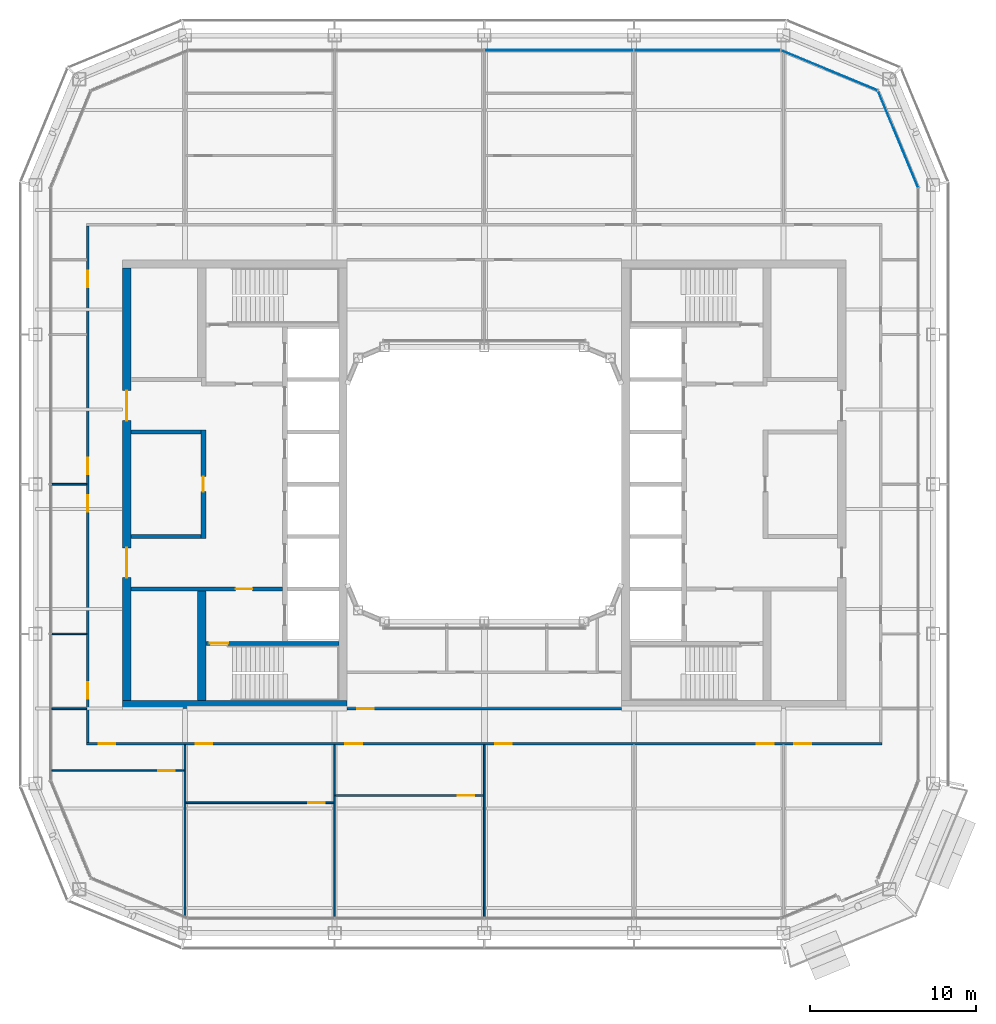
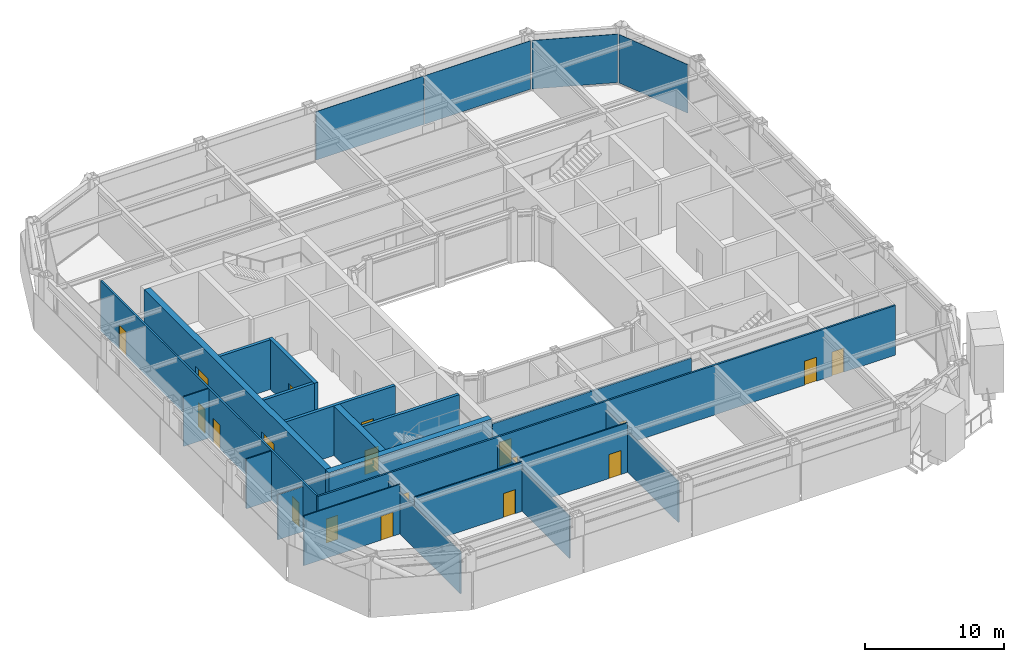
# One storey, part 12 of 23: 20 walls, 19 doors, 4 plates, 19 openings, 3 elements without a shape of their own.
"""IFC4 building model written with IfcOpenShell, lengths in metres."""

from ifc_helpers import new_model, si_unit, direction, frame, frame_2d, origin, origin_2d, place, context, subcontext, project, spatial, rectangle, extrude, material, layer, layer_set, type_object, element, fill, aggregate, save


model = new_model("IFC4")

# Units and contexts
model_context = context("Model", 3, precision=1e-05, world=origin(), true_north=direction((0.0, 1.0)))
body_context = subcontext(model_context, "Body", "Model", "MODEL_VIEW")
ifc_project = project(units=[si_unit("LENGTHUNIT", "METRE"), si_unit("AREAUNIT", "SQUARE_METRE"), si_unit("VOLUMEUNIT", "CUBIC_METRE"), si_unit("PLANEANGLEUNIT", "RADIAN"), si_unit("MASSUNIT", "GRAM", prefix="KILO")], contexts=[model_context])

# Site, building, storey
site_placement = place(None, origin())
site = spatial("IfcSite", under=ifc_project, at=site_placement, CompositionType="ELEMENT")
building_placement = place(site_placement, origin())
building = spatial("IfcBuilding", under=site, at=building_placement, Name="Siwar Civic Tower", CompositionType="ELEMENT")
storey_placement = place(building_placement, frame((0.0, 0.0, 237.699951171875)))
storey = spatial("IfcBuildingStorey", under=building, at=storey_placement, Name="L51", CompositionType="ELEMENT", Elevation=237.699951171875)

# Curtain wall, plates
ifc_material_1 = material(Name="Aluminium and glass", Category="aluminium")
ifc_layer_1 = layer(ifc_material_1, 0.179931640625)
ifc_layer_set_1 = layer_set([ifc_layer_1], Name="Aluminium and glass")
curtain_wall_type_1 = type_object("IfcCurtainWallType", Name="ENV-CW-C", PredefinedType="NOTDEFINED", material=ifc_layer_set_1)
curtain_wall_1_placement = place(storey_placement, origin())
curtain_wall_1 = element("IfcCurtainWall", 1, at=curtain_wall_1_placement, inside=storey, type_object=curtain_wall_type_1, Name="Curtain wall C N", PredefinedType="NOTDEFINED")
ifc_material_2 = material(Name="Glass clear laminated", Category="glass")
ifc_layer_2 = layer(ifc_material_2, 0.031982421875)
ifc_layer_set_2 = layer_set([ifc_layer_2], Name="Glass clear laminated")
plate_type_1 = type_object("IfcPlateType", Name="ENV-PANEL-C", PredefinedType="CURTAIN_PANEL", material=ifc_layer_set_2)
plate_1_placement = place(storey_placement, frame((13.410400390625, 26.10009765625, 0.10009765625), z_axis=(0.0, 0.0, 1.0), x_axis=(-1.0, 0.0, 0.0)))
plate_1 = element("IfcPlate", 2, at=plate_1_placement, type_object=plate_type_1, Name="Curtain panel C N 1", PredefinedType="CURTAIN_PANEL", context=body_context, shape_type="SweptSolid", body=[
    extrude(rectangle(XDim=8.760986328125, YDim=0.031982421875, at=origin_2d()), origin(), (0.0, 0.0, 1.0), 4.25),
])
plate_2_placement = place(storey_placement, frame((4.5, 26.10009765625, 0.10009765625), z_axis=(0.0, 0.0, 1.0), x_axis=(-1.0, 0.0, 0.0)))
plate_2 = element("IfcPlate", 3, at=plate_2_placement, type_object=plate_type_1, Name="Curtain panel C N 2", PredefinedType="CURTAIN_PANEL", context=body_context, shape_type="SweptSolid", body=[
    extrude(rectangle(XDim=8.93994140625, YDim=0.031982421875, at=origin_2d()), origin(), (0.0, 0.0, 1.0), 4.25),
])
aggregate(curtain_wall_1, [plate_1, plate_2])

# Curtain wall, plate
ifc_material_3 = material(Name="Aluminium clad insulated panel", Category="aluminium")
ifc_layer_3 = layer(ifc_material_3, 0.179931640625)
ifc_layer_set_3 = layer_set([ifc_layer_3], Name="Aluminium clad insulated panel")
curtain_wall_type_2 = type_object("IfcCurtainWallType", Name="ENV-CW-CX", PredefinedType="NOTDEFINED", material=ifc_layer_set_3)
curtain_wall_2_placement = place(storey_placement, origin())
curtain_wall_2 = element("IfcCurtainWall", 4, at=curtain_wall_2_placement, inside=storey, type_object=curtain_wall_type_2, Name="Curtain wall C NE1", PredefinedType="NOTDEFINED")
ifc_material_4 = material(Name="Aluminium clad insulated panel", Category="aluminium")
ifc_layer_4 = layer(ifc_material_4, 0.031982421875)
ifc_layer_set_4 = layer_set([ifc_layer_4], Name="Aluminium clad insulated panel")
plate_type_2 = type_object("IfcPlateType", Name="ENV-PANEL-CX", PredefinedType="CURTAIN_PANEL", material=ifc_layer_set_4)
plate_3_placement = place(storey_placement, frame((24.90185546875, 20.71337890625, 0.10009765625), z_axis=(0.0, 0.0, 1.0), x_axis=(-0.382683432365, 0.923879532511, 0.0)))
plate_3 = element("IfcPlate", 5, at=plate_3_placement, type_object=plate_type_2, Name="Curtain panel C NE1 1", PredefinedType="CURTAIN_PANEL", context=body_context, shape_type="SweptSolid", body=[
    extrude(rectangle(XDim=6.20166015625, YDim=0.031982421875, at=origin_2d()), origin(), (0.0, 0.0, 1.0), 4.25),
])
aggregate(curtain_wall_2, [plate_3])

curtain_wall_3_placement = place(storey_placement, origin())
curtain_wall_3 = element("IfcCurtainWall", 6, at=curtain_wall_3_placement, inside=storey, type_object=curtain_wall_type_2, Name="Curtain wall C NE2", PredefinedType="NOTDEFINED")
plate_4_placement = place(storey_placement, frame((20.78271484375, 24.873291015625, 0.10009765625), z_axis=(0.0, 0.0, 1.0), x_axis=(-0.923879532511, 0.382683432365, 0.0)))
plate_4 = element("IfcPlate", 7, at=plate_4_placement, type_object=plate_type_2, Name="Curtain panel C NE2 1", PredefinedType="CURTAIN_PANEL", context=body_context, shape_type="SweptSolid", body=[
    extrude(rectangle(XDim=6.20166015625, YDim=0.031982421875, at=origin_2d()), origin(), (0.0, 0.0, 1.0), 4.25),
])
aggregate(curtain_wall_3, [plate_4])

# Wall, opening, door
ifc_material_5 = material(Name="Concrete C60/75", Category="concrete")
ifc_layer_5 = layer(ifc_material_5, 0.25)
ifc_layer_set_5 = layer_set([ifc_layer_5], Name="Concrete C60/75")
wall_type_1 = type_object("IfcWallType", Name="CORE-WALL-RC250", PredefinedType="SHEAR", material=ifc_layer_set_5)
wall_1_placement = place(storey_placement, frame((-12.14990234375, -6.300048828125, 0.0), z_axis=(0.0, 0.0, 1.0), x_axis=(-1.0, 0.0, 0.0)))
wall_1 = element("IfcWall", 8, at=wall_1_placement, inside=storey, type_object=wall_type_1, Name="Core wall W", PredefinedType="SHEAR", context=body_context, shape_type="SweptSolid", body=[
    extrude(rectangle(XDim=9.10009765625, YDim=0.25, at=frame_2d((4.550048828125, 0.0))), origin(), (0.0, 0.0, 1.0), 4.35009765625),
])
opening_1_placement = place(wall_1_placement, frame((1.800048828125, 0.0, 0.0)))
opening_1 = element("IfcOpeningElement", 9, at=opening_1_placement, cuts=wall_1, Name="Opening L51-CW02", PredefinedType="OPENING", context=body_context, shape_type="SweptSolid", body=[
    extrude(rectangle(XDim=1.0, YDim=2.10009765625, at=frame_2d((0.5, 1.050048828125))), frame((0.0, 0.135009765625, 0.0), z_axis=(0.0, -1.0, 0.0), x_axis=(1.0, 0.0, 0.0)), (0.0, 0.0, 1.0), 0.27001953125),
])
ifc_material_6 = material(Name="Steel door leaf", Category="steel")
door_type_1 = type_object("IfcDoorType", Name="CORE-DOOR-FD30S", OperationType="SINGLE_SWING_LEFT", PredefinedType="DOOR", material=ifc_material_6)
door_1_placement = place(opening_1_placement, origin())
door_1 = element("IfcDoor", 10, at=door_1_placement, inside=storey, type_object=door_type_1, Name="Service lobby door L51-CW02", OperationType="SINGLE_SWING_RIGHT", OverallHeight=2.10009765625, OverallWidth=1.0, PredefinedType="DOOR", context=body_context, shape_type="SweptSolid", body=[
    extrude(rectangle(XDim=1.0, YDim=2.10009765625, at=frame_2d((0.5, 1.050048828125))), frame((0.0, 0.02490234375, 0.0), z_axis=(0.0, -1.0, 0.0), x_axis=(1.0, 0.0, 0.0)), (0.0, 0.0, 1.0), 0.050048828125),
])
fill(opening_1, door_1)

# Walls
for number, where, z_axis, x_axis, name in (
    (11, (-17.050048828125, 3.14990234375, 0.0), (0.0, 0.0, 1.0), (-1.0, 0.0, 0.0), "Core wall W"),
    (12, (-17.050048828125, -3.14990234375, 0.0), (0.0, 0.0, 1.0), (-1.0, 0.0, 0.0), "Core wall W"),
):
    element("IfcWall", number, at=place(storey_placement, frame(where, z_axis=z_axis, x_axis=x_axis)), inside=storey, type_object=wall_type_1, Name=name, PredefinedType="SHEAR", context=body_context, shape_type="SweptSolid", body=[
        extrude(rectangle(XDim=4.199951171875, YDim=0.25, at=frame_2d((2.10009765625, 0.0))), origin(), (0.0, 0.0, 1.0), 4.35009765625),
    ])

# Wall, opening, door
wall_2_placement = place(storey_placement, frame((-8.75, -9.574951171875, 0.0), z_axis=(0.0, 0.0, 1.0), x_axis=(-1.0, 0.0, 0.0)))
wall_2 = element("IfcWall", 13, at=wall_2_placement, inside=storey, type_object=wall_type_1, Name="Core wall W", PredefinedType="SHEAR", context=body_context, shape_type="SweptSolid", body=[
    extrude(rectangle(XDim=8.0, YDim=0.25, at=frame_2d((4.0, 0.0))), origin(), (0.0, 0.0, 1.0), 4.35009765625),
])
opening_2_placement = place(wall_2_placement, frame((6.64990234375, 0.0, 0.0)))
opening_2 = element("IfcOpeningElement", 14, at=opening_2_placement, cuts=wall_2, Name="Opening L51-CW04", PredefinedType="OPENING", context=body_context, shape_type="SweptSolid", body=[
    extrude(rectangle(XDim=1.10009765625, YDim=2.10009765625, at=frame_2d((0.550048828125, 1.050048828125))), frame((0.0, 0.135009765625, 0.0), z_axis=(0.0, -1.0, 0.0), x_axis=(1.0, 0.0, 0.0)), (0.0, 0.0, 1.0), 0.27001953125),
])
ifc_material_7 = material(Name="Steel door leaf", Category="steel")
door_type_2 = type_object("IfcDoorType", Name="CORE-DOOR-FD60S", OperationType="SINGLE_SWING_LEFT", PredefinedType="DOOR", material=ifc_material_7)
door_2_placement = place(opening_2_placement, origin())
door_2 = element("IfcDoor", 15, at=door_2_placement, inside=storey, type_object=door_type_2, Name="Stair door L51-CW04", OperationType="SINGLE_SWING_LEFT", OverallHeight=2.10009765625, OverallWidth=1.10009765625, PredefinedType="DOOR", context=body_context, shape_type="SweptSolid", body=[
    extrude(rectangle(XDim=1.10009765625, YDim=2.10009765625, at=frame_2d((0.550048828125, 1.050048828125))), frame((0.0, 0.02490234375, 0.0), z_axis=(0.0, -1.0, 0.0), x_axis=(1.0, 0.0, 0.0)), (0.0, 0.0, 1.0), 0.050048828125),
])
fill(opening_2, door_2)

ifc_material_8 = material(Name="Concrete C60/75", Category="concrete")
ifc_layer_6 = layer(ifc_material_8, 0.300048828125)
ifc_layer_set_6 = layer_set([ifc_layer_6], Name="Concrete C60/75")
wall_type_2 = type_object("IfcWallType", Name="CORE-WALL-RC300", PredefinedType="SHEAR", material=ifc_layer_set_6)
wall_3_placement = place(storey_placement, frame((-16.89990234375, -3.27490234375, 0.0), z_axis=(0.0, 0.0, 1.0), x_axis=(0.0, 1.0, 0.0)))
wall_3 = element("IfcWall", 16, at=wall_3_placement, inside=storey, type_object=wall_type_2, Name="Core wall W", PredefinedType="SHEAR", context=body_context, shape_type="SweptSolid", body=[
    extrude(rectangle(XDim=6.5498046875, YDim=0.300048828125, at=frame_2d((3.27490234375, 0.0))), origin(), (0.0, 0.0, 1.0), 4.35009765625),
])
opening_3_placement = place(wall_3_placement, frame((2.824951171875, 0.0, 0.0)))
opening_3 = element("IfcOpeningElement", 17, at=opening_3_placement, cuts=wall_3, Name="Opening L51-CW13", PredefinedType="OPENING", context=body_context, shape_type="SweptSolid", body=[
    extrude(rectangle(XDim=0.89990234375, YDim=2.10009765625, at=frame_2d((0.449951171875, 1.050048828125))), frame((0.0, 0.16015625, 0.0), z_axis=(0.0, -1.0, 0.0), x_axis=(1.0, 0.0, 0.0)), (0.0, 0.0, 1.0), 0.320068359375),
])
ifc_material_9 = material(Name="Steel door leaf", Category="steel")
door_type_3 = type_object("IfcDoorType", Name="CORE-DOOR-ROOM", OperationType="SINGLE_SWING_LEFT", PredefinedType="DOOR", material=ifc_material_9)
door_3_placement = place(opening_3_placement, origin())
door_3 = element("IfcDoor", 18, at=door_3_placement, inside=storey, type_object=door_type_3, Name="Core room door L51-CW13", OperationType="SINGLE_SWING_RIGHT", OverallHeight=2.10009765625, OverallWidth=0.89990234375, PredefinedType="DOOR", context=body_context, shape_type="SweptSolid", body=[
    extrude(rectangle(XDim=0.89990234375, YDim=2.10009765625, at=frame_2d((0.449951171875, 1.050048828125))), frame((0.0, 0.02490234375, 0.0), z_axis=(0.0, -1.0, 0.0), x_axis=(1.0, 0.0, 0.0)), (0.0, 0.0, 1.0), 0.050048828125),
])
fill(opening_3, door_3)

# Wall, openings, doors
ifc_material_10 = material(Name="Concrete C60/75", Category="concrete")
ifc_layer_7 = layer(ifc_material_10, 0.5)
ifc_layer_set_7 = layer_set([ifc_layer_7], Name="Concrete C60/75")
wall_type_3 = type_object("IfcWallType", Name="CORE-WALL-RC500", PredefinedType="SHEAR", material=ifc_layer_set_7)
wall_4_placement = place(storey_placement, frame((-21.5, -13.0, 0.0), z_axis=(0.0, 0.0, 1.0), x_axis=(0.0, 1.0, 0.0)))
wall_4 = element("IfcWall", 19, at=wall_4_placement, inside=storey, type_object=wall_type_3, Name="Core wall W", PredefinedType="SHEAR", context=body_context, shape_type="SweptSolid", body=[
    extrude(rectangle(XDim=26.0, YDim=0.5, at=frame_2d((13.0, 0.0))), origin(), (0.0, 0.0, 1.0), 4.35009765625),
])
opening_4_placement = place(wall_4_placement, frame((16.824951171875, 0.0, 0.0)))
opening_4 = element("IfcOpeningElement", 20, at=opening_4_placement, cuts=wall_4, Name="Opening L51-CW05", PredefinedType="OPENING", context=body_context, shape_type="SweptSolid", body=[
    extrude(rectangle(XDim=1.800048828125, YDim=2.10009765625, at=frame_2d((0.89990234375, 1.050048828125))), frame((0.0, 0.260009765625, 0.0), z_axis=(0.0, -1.0, 0.0), x_axis=(1.0, 0.0, 0.0)), (0.0, 0.0, 1.0), 0.52001953125),
])
opening_5_placement = place(wall_4_placement, frame((7.375, 0.0, 0.0)))
opening_5 = element("IfcOpeningElement", 21, at=opening_5_placement, cuts=wall_4, Name="Opening L51-CW06", PredefinedType="OPENING", context=body_context, shape_type="SweptSolid", body=[
    extrude(rectangle(XDim=1.800048828125, YDim=2.10009765625, at=frame_2d((0.89990234375, 1.050048828125))), frame((0.0, 0.260009765625, 0.0), z_axis=(0.0, -1.0, 0.0), x_axis=(1.0, 0.0, 0.0)), (0.0, 0.0, 1.0), 0.52001953125),
])
ifc_material_11 = material(Name="Steel door leaf", Category="steel")
door_type_4 = type_object("IfcDoorType", Name="CORE-DOOR-PORT", OperationType="DOUBLE_DOOR_DOUBLE_SWING", PredefinedType="DOOR", material=ifc_material_11)
door_4_placement = place(opening_4_placement, origin())
door_4 = element("IfcDoor", 22, at=door_4_placement, inside=storey, type_object=door_type_4, Name="Core entrance door L51-CW05", OperationType="DOUBLE_DOOR_DOUBLE_SWING", OverallHeight=2.10009765625, OverallWidth=1.800048828125, PredefinedType="DOOR", context=body_context, shape_type="SweptSolid", body=[
    extrude(rectangle(XDim=1.800048828125, YDim=2.10009765625, at=frame_2d((0.89990234375, 1.050048828125))), frame((0.0, 0.02490234375, 0.0), z_axis=(0.0, -1.0, 0.0), x_axis=(1.0, 0.0, 0.0)), (0.0, 0.0, 1.0), 0.050048828125),
])
fill(opening_4, door_4)
door_5_placement = place(opening_5_placement, origin())
door_5 = element("IfcDoor", 23, at=door_5_placement, inside=storey, type_object=door_type_4, Name="Core entrance door L51-CW06", OperationType="DOUBLE_DOOR_DOUBLE_SWING", OverallHeight=2.10009765625, OverallWidth=1.800048828125, PredefinedType="DOOR", context=body_context, shape_type="SweptSolid", body=[
    extrude(rectangle(XDim=1.800048828125, YDim=2.10009765625, at=frame_2d((0.89990234375, 1.050048828125))), frame((0.0, 0.02490234375, 0.0), z_axis=(0.0, -1.0, 0.0), x_axis=(1.0, 0.0, 0.0)), (0.0, 0.0, 1.0), 0.050048828125),
])
fill(opening_5, door_5)

# Walls
wall_5_placement = place(storey_placement, frame((-17.0, -13.0, 0.0), z_axis=(0.0, 0.0, 1.0), x_axis=(0.0, 1.0, 0.0)))
element("IfcWall", 24, at=wall_5_placement, inside=storey, type_object=wall_type_3, Name="Core wall W", PredefinedType="SHEAR", context=body_context, shape_type="SweptSolid", body=[
    extrude(rectangle(XDim=6.574951171875, YDim=0.5, at=frame_2d((3.28759765625, 0.0))), origin(), (0.0, 0.0, 1.0), 4.35009765625),
])
wall_6_placement = place(storey_placement, frame((-8.25, -13.25, 0.0), z_axis=(0.0, 0.0, 1.0), x_axis=(-1.0, 0.0, 0.0)))
element("IfcWall", 25, at=wall_6_placement, inside=storey, type_object=wall_type_3, Name="Core wall W", PredefinedType="SHEAR", context=body_context, shape_type="SweptSolid", body=[
    extrude(rectangle(XDim=13.5, YDim=0.5, at=frame_2d((6.75, 0.0))), origin(), (0.0, 0.0, 1.0), 4.35009765625),
])

# Wall, openings, doors
ifc_material_12 = material(Name="Gypsum board on steel studs", Category="steel")
ifc_layer_8 = layer(ifc_material_12, 0.14990234375)
ifc_layer_set_8 = layer_set([ifc_layer_8], Name="Gypsum board on steel studs")
wall_type_4 = type_object("IfcWallType", Name="CORRIDOR PARTITION 150 EI 30", PredefinedType="PARTITIONING", material=ifc_layer_set_8)
wall_7_placement = place(storey_placement, frame((-23.925048828125, -15.60009765625, 0.0), z_axis=(0.0, 0.0, 1.0), x_axis=(1.0, 0.0, 0.0)))
wall_7 = element("IfcWall", 26, at=wall_7_placement, inside=storey, type_object=wall_type_4, Name="L51/wall/P04", PredefinedType="PARTITIONING", context=body_context, shape_type="SweptSolid", body=[
    extrude(rectangle(XDim=47.85009765625, YDim=0.14990234375, at=frame_2d((23.925048828125, 0.0))), origin(), (0.0, 0.0, 1.0), 4.35009765625),
])
opening_6_placement = place(wall_7_placement, frame((6.574951171875, 0.0, 0.0)))
opening_6 = element("IfcOpeningElement", 27, at=opening_6_placement, cuts=wall_7, Name="Opening D1", PredefinedType="OPENING", context=body_context, shape_type="SweptSolid", body=[
    extrude(rectangle(XDim=1.0, YDim=2.10009765625, at=frame_2d((0.5, 1.050048828125))), frame((0.0, 0.0849609375, 0.0), z_axis=(0.0, -1.0, 0.0), x_axis=(1.0, 0.0, 0.0)), (0.0, 0.0, 1.0), 0.169921875),
])
opening_7_placement = place(wall_7_placement, frame((15.574951171875, 0.0, 0.0)))
opening_7 = element("IfcOpeningElement", 28, at=opening_7_placement, cuts=wall_7, Name="Opening D1", PredefinedType="OPENING", context=body_context, shape_type="SweptSolid", body=[
    extrude(rectangle(XDim=1.0, YDim=2.10009765625, at=frame_2d((0.5, 1.050048828125))), frame((0.0, 0.0849609375, 0.0), z_axis=(0.0, -1.0, 0.0), x_axis=(1.0, 0.0, 0.0)), (0.0, 0.0, 1.0), 0.169921875),
])
opening_8_placement = place(wall_7_placement, frame((24.574951171875, 0.0, 0.0)))
opening_8 = element("IfcOpeningElement", 29, at=opening_8_placement, cuts=wall_7, Name="Opening D1", PredefinedType="OPENING", context=body_context, shape_type="SweptSolid", body=[
    extrude(rectangle(XDim=1.0, YDim=2.10009765625, at=frame_2d((0.5, 1.050048828125))), frame((0.0, 0.0849609375, 0.0), z_axis=(0.0, -1.0, 0.0), x_axis=(1.0, 0.0, 0.0)), (0.0, 0.0, 1.0), 0.169921875),
])
opening_9_placement = place(wall_7_placement, frame((40.324951171875, 0.0, 0.0)))
opening_9 = element("IfcOpeningElement", 30, at=opening_9_placement, cuts=wall_7, Name="Opening D1", PredefinedType="OPENING", context=body_context, shape_type="SweptSolid", body=[
    extrude(rectangle(XDim=1.0, YDim=2.10009765625, at=frame_2d((0.5, 1.050048828125))), frame((0.0, 0.0849609375, 0.0), z_axis=(0.0, -1.0, 0.0), x_axis=(1.0, 0.0, 0.0)), (0.0, 0.0, 1.0), 0.169921875),
])
opening_10_placement = place(wall_7_placement, frame((0.72509765625, 0.0, 0.0)))
opening_10 = element("IfcOpeningElement", 31, at=opening_10_placement, cuts=wall_7, Name="Opening D1", PredefinedType="OPENING", context=body_context, shape_type="SweptSolid", body=[
    extrude(rectangle(XDim=1.0, YDim=2.10009765625, at=frame_2d((0.5, 1.050048828125))), frame((0.0, 0.0849609375, 0.0), z_axis=(0.0, -1.0, 0.0), x_axis=(1.0, 0.0, 0.0)), (0.0, 0.0, 1.0), 0.169921875),
])
opening_11_placement = place(wall_7_placement, frame((42.574951171875, 0.0, 0.0)))
opening_11 = element("IfcOpeningElement", 32, at=opening_11_placement, cuts=wall_7, Name="Opening D1", PredefinedType="OPENING", context=body_context, shape_type="SweptSolid", body=[
    extrude(rectangle(XDim=1.0, YDim=2.10009765625, at=frame_2d((0.5, 1.050048828125))), frame((0.0, 0.0849609375, 0.0), z_axis=(0.0, -1.0, 0.0), x_axis=(1.0, 0.0, 0.0)), (0.0, 0.0, 1.0), 0.169921875),
])
ifc_material_13 = material(Name="Timber, painted", Category="wood")
door_type_5 = type_object("IfcDoorType", Name="DOOR 1000 X 2100 FD30", OperationType="SINGLE_SWING_LEFT", PredefinedType="DOOR", material=ifc_material_13)
door_6_placement = place(opening_6_placement, origin())
door_6 = element("IfcDoor", 33, at=door_6_placement, inside=storey, type_object=door_type_5, Name="L51-D09", OperationType="SINGLE_SWING_LEFT", OverallHeight=2.10009765625, OverallWidth=1.0, PredefinedType="DOOR", context=body_context, shape_type="SweptSolid", body=[
    extrude(rectangle(XDim=1.0, YDim=2.10009765625, at=frame_2d((0.5, 1.050048828125))), frame((0.0, 0.02490234375, 0.0), z_axis=(0.0, -1.0, 0.0), x_axis=(1.0, 0.0, 0.0)), (0.0, 0.0, 1.0), 0.050048828125),
])
fill(opening_6, door_6)
door_7_placement = place(opening_7_placement, origin())
door_7 = element("IfcDoor", 34, at=door_7_placement, inside=storey, type_object=door_type_5, Name="L51-D11", OperationType="SINGLE_SWING_LEFT", OverallHeight=2.10009765625, OverallWidth=1.0, PredefinedType="DOOR", context=body_context, shape_type="SweptSolid", body=[
    extrude(rectangle(XDim=1.0, YDim=2.10009765625, at=frame_2d((0.5, 1.050048828125))), frame((0.0, 0.02490234375, 0.0), z_axis=(0.0, -1.0, 0.0), x_axis=(1.0, 0.0, 0.0)), (0.0, 0.0, 1.0), 0.050048828125),
])
fill(opening_7, door_7)
door_8_placement = place(opening_8_placement, origin())
door_8 = element("IfcDoor", 35, at=door_8_placement, inside=storey, type_object=door_type_5, Name="L51-D13", OperationType="SINGLE_SWING_LEFT", OverallHeight=2.10009765625, OverallWidth=1.0, PredefinedType="DOOR", context=body_context, shape_type="SweptSolid", body=[
    extrude(rectangle(XDim=1.0, YDim=2.10009765625, at=frame_2d((0.5, 1.050048828125))), frame((0.0, 0.02490234375, 0.0), z_axis=(0.0, -1.0, 0.0), x_axis=(1.0, 0.0, 0.0)), (0.0, 0.0, 1.0), 0.050048828125),
])
fill(opening_8, door_8)
door_9_placement = place(opening_9_placement, origin())
door_9 = element("IfcDoor", 36, at=door_9_placement, inside=storey, type_object=door_type_5, Name="L51-D14", OperationType="SINGLE_SWING_RIGHT", OverallHeight=2.10009765625, OverallWidth=1.0, PredefinedType="DOOR", context=body_context, shape_type="SweptSolid", body=[
    extrude(rectangle(XDim=1.0, YDim=2.10009765625, at=frame_2d((0.5, 1.050048828125))), frame((0.0, 0.02490234375, 0.0), z_axis=(0.0, -1.0, 0.0), x_axis=(1.0, 0.0, 0.0)), (0.0, 0.0, 1.0), 0.050048828125),
])
fill(opening_9, door_9)
door_10_placement = place(opening_10_placement, origin())
door_10 = element("IfcDoor", 37, at=door_10_placement, inside=storey, type_object=door_type_5, Name="L51-D17", OperationType="SINGLE_SWING_LEFT", OverallHeight=2.10009765625, OverallWidth=1.0, PredefinedType="DOOR", context=body_context, shape_type="SweptSolid", body=[
    extrude(rectangle(XDim=1.0, YDim=2.10009765625, at=frame_2d((0.5, 1.050048828125))), frame((0.0, 0.02490234375, 0.0), z_axis=(0.0, -1.0, 0.0), x_axis=(1.0, 0.0, 0.0)), (0.0, 0.0, 1.0), 0.050048828125),
])
fill(opening_10, door_10)
door_11_placement = place(opening_11_placement, origin())
door_11 = element("IfcDoor", 38, at=door_11_placement, inside=storey, type_object=door_type_5, Name="L51-D19", OperationType="SINGLE_SWING_LEFT", OverallHeight=2.10009765625, OverallWidth=1.0, PredefinedType="DOOR", context=body_context, shape_type="SweptSolid", body=[
    extrude(rectangle(XDim=1.0, YDim=2.10009765625, at=frame_2d((0.5, 1.050048828125))), frame((0.0, 0.02490234375, 0.0), z_axis=(0.0, -1.0, 0.0), x_axis=(1.0, 0.0, 0.0)), (0.0, 0.0, 1.0), 0.050048828125),
])
fill(opening_11, door_11)

# Wall, opening, door
wall_8_placement = place(storey_placement, frame((-8.25, -13.5, 0.0), z_axis=(0.0, 0.0, 1.0), x_axis=(1.0, 0.0, 0.0)))
wall_8 = element("IfcWall", 39, at=wall_8_placement, inside=storey, type_object=wall_type_4, Name="L51/wall/P07", PredefinedType="PARTITIONING", context=body_context, shape_type="SweptSolid", body=[
    extrude(rectangle(XDim=16.5, YDim=0.14990234375, at=frame_2d((8.25, 0.0))), origin(), (0.0, 0.0, 1.0), 3.949951171875),
])
opening_12_placement = place(wall_8_placement, frame((0.60009765625, 0.0, 0.0)))
opening_12 = element("IfcOpeningElement", 40, at=opening_12_placement, cuts=wall_8, Name="Opening D1", PredefinedType="OPENING", context=body_context, shape_type="SweptSolid", body=[
    extrude(rectangle(XDim=1.0, YDim=2.10009765625, at=frame_2d((0.5, 1.050048828125))), frame((0.0, 0.0849609375, 0.0), z_axis=(0.0, -1.0, 0.0), x_axis=(1.0, 0.0, 0.0)), (0.0, 0.0, 1.0), 0.169921875),
])
door_12_placement = place(opening_12_placement, origin())
door_12 = element("IfcDoor", 41, at=door_12_placement, inside=storey, type_object=door_type_5, Name="L51-D30", OperationType="SINGLE_SWING_RIGHT", OverallHeight=2.10009765625, OverallWidth=1.0, PredefinedType="DOOR", context=body_context, shape_type="SweptSolid", body=[
    extrude(rectangle(XDim=1.0, YDim=2.10009765625, at=frame_2d((0.5, 1.050048828125))), frame((0.0, 0.02490234375, 0.0), z_axis=(0.0, -1.0, 0.0), x_axis=(1.0, 0.0, 0.0)), (0.0, 0.0, 1.0), 0.050048828125),
])
fill(opening_12, door_12)

# Wall, openings, doors
wall_9_placement = place(storey_placement, frame((-23.85009765625, -15.52490234375, 0.0), z_axis=(0.0, 0.0, 1.0), x_axis=(0.0, 1.0, 0.0)))
wall_9 = element("IfcWall", 42, at=wall_9_placement, inside=storey, type_object=wall_type_4, Name="L51/wall/P24", PredefinedType="PARTITIONING", context=body_context, shape_type="SweptSolid", body=[
    extrude(rectangle(XDim=31.0498046875, YDim=0.14990234375, at=frame_2d((15.52490234375, 0.0))), origin(), (0.0, 0.0, 1.0), 4.35009765625),
])
opening_13_placement = place(wall_9_placement, frame((2.625, 0.0, 0.0)))
opening_13 = element("IfcOpeningElement", 43, at=opening_13_placement, cuts=wall_9, Name="Opening D1", PredefinedType="OPENING", context=body_context, shape_type="SweptSolid", body=[
    extrude(rectangle(XDim=1.0, YDim=2.10009765625, at=frame_2d((0.5, 1.050048828125))), frame((0.0, 0.0849609375, 0.0), z_axis=(0.0, -1.0, 0.0), x_axis=(1.0, 0.0, 0.0)), (0.0, 0.0, 1.0), 0.169921875),
])
opening_14_placement = place(wall_9_placement, frame((13.875, 0.0, 0.0)))
opening_14 = element("IfcOpeningElement", 44, at=opening_14_placement, cuts=wall_9, Name="Opening D1", PredefinedType="OPENING", context=body_context, shape_type="SweptSolid", body=[
    extrude(rectangle(XDim=1.0, YDim=2.10009765625, at=frame_2d((0.5, 1.050048828125))), frame((0.0, 0.0849609375, 0.0), z_axis=(0.0, -1.0, 0.0), x_axis=(1.0, 0.0, 0.0)), (0.0, 0.0, 1.0), 0.169921875),
])
opening_15_placement = place(wall_9_placement, frame((16.125, 0.0, 0.0)))
opening_15 = element("IfcOpeningElement", 45, at=opening_15_placement, cuts=wall_9, Name="Opening D1", PredefinedType="OPENING", context=body_context, shape_type="SweptSolid", body=[
    extrude(rectangle(XDim=1.0, YDim=2.10009765625, at=frame_2d((0.5, 1.050048828125))), frame((0.0, 0.0849609375, 0.0), z_axis=(0.0, -1.0, 0.0), x_axis=(1.0, 0.0, 0.0)), (0.0, 0.0, 1.0), 0.169921875),
])
opening_16_placement = place(wall_9_placement, frame((27.375, 0.0, 0.0)))
opening_16 = element("IfcOpeningElement", 46, at=opening_16_placement, cuts=wall_9, Name="Opening D1", PredefinedType="OPENING", context=body_context, shape_type="SweptSolid", body=[
    extrude(rectangle(XDim=1.0, YDim=2.10009765625, at=frame_2d((0.5, 1.050048828125))), frame((0.0, 0.0849609375, 0.0), z_axis=(0.0, -1.0, 0.0), x_axis=(1.0, 0.0, 0.0)), (0.0, 0.0, 1.0), 0.169921875),
])
door_13_placement = place(opening_13_placement, origin())
door_13 = element("IfcDoor", 47, at=door_13_placement, inside=storey, type_object=door_type_5, Name="L51-D20", OperationType="SINGLE_SWING_RIGHT", OverallHeight=2.10009765625, OverallWidth=1.0, PredefinedType="DOOR", context=body_context, shape_type="SweptSolid", body=[
    extrude(rectangle(XDim=1.0, YDim=2.10009765625, at=frame_2d((0.5, 1.050048828125))), frame((0.0, 0.02490234375, 0.0), z_axis=(0.0, -1.0, 0.0), x_axis=(1.0, 0.0, 0.0)), (0.0, 0.0, 1.0), 0.050048828125),
])
fill(opening_13, door_13)
door_14_placement = place(opening_14_placement, origin())
door_14 = element("IfcDoor", 48, at=door_14_placement, inside=storey, type_object=door_type_5, Name="L51-D21", OperationType="SINGLE_SWING_LEFT", OverallHeight=2.10009765625, OverallWidth=1.0, PredefinedType="DOOR", context=body_context, shape_type="SweptSolid", body=[
    extrude(rectangle(XDim=1.0, YDim=2.10009765625, at=frame_2d((0.5, 1.050048828125))), frame((0.0, 0.02490234375, 0.0), z_axis=(0.0, -1.0, 0.0), x_axis=(1.0, 0.0, 0.0)), (0.0, 0.0, 1.0), 0.050048828125),
])
fill(opening_14, door_14)
door_15_placement = place(opening_15_placement, origin())
door_15 = element("IfcDoor", 49, at=door_15_placement, inside=storey, type_object=door_type_5, Name="L51-D22", OperationType="SINGLE_SWING_RIGHT", OverallHeight=2.10009765625, OverallWidth=1.0, PredefinedType="DOOR", context=body_context, shape_type="SweptSolid", body=[
    extrude(rectangle(XDim=1.0, YDim=2.10009765625, at=frame_2d((0.5, 1.050048828125))), frame((0.0, 0.02490234375, 0.0), z_axis=(0.0, -1.0, 0.0), x_axis=(1.0, 0.0, 0.0)), (0.0, 0.0, 1.0), 0.050048828125),
])
fill(opening_15, door_15)
door_16_placement = place(opening_16_placement, origin())
door_16 = element("IfcDoor", 50, at=door_16_placement, inside=storey, type_object=door_type_5, Name="L51-D23", OperationType="SINGLE_SWING_LEFT", OverallHeight=2.10009765625, OverallWidth=1.0, PredefinedType="DOOR", context=body_context, shape_type="SweptSolid", body=[
    extrude(rectangle(XDim=1.0, YDim=2.10009765625, at=frame_2d((0.5, 1.050048828125))), frame((0.0, 0.02490234375, 0.0), z_axis=(0.0, -1.0, 0.0), x_axis=(1.0, 0.0, 0.0)), (0.0, 0.0, 1.0), 0.050048828125),
])
fill(opening_16, door_16)

# Wall, opening, door
ifc_material_14 = material(Name="Gypsum board on steel studs", Category="steel")
ifc_layer_9 = layer(ifc_material_14, 0.10009765625)
ifc_layer_set_9 = layer_set([ifc_layer_9], Name="Gypsum board on steel studs")
wall_type_5 = type_object("IfcWallType", Name="PARTITION 100 GYPSUM", PredefinedType="PARTITIONING", material=ifc_layer_set_9)
wall_10_placement = place(storey_placement, frame((-17.949951171875, -19.159912109375, 0.0), z_axis=(0.0, 0.0, 1.0), x_axis=(1.0, 0.0, 0.0)))
wall_10 = element("IfcWall", 51, at=wall_10_placement, inside=storey, type_object=wall_type_5, Name="L51/wall/P01", PredefinedType="PARTITIONING", context=body_context, shape_type="SweptSolid", body=[
    extrude(rectangle(XDim=8.89990234375, YDim=0.10009765625, at=frame_2d((4.449951171875, 0.0))), origin(), (0.0, 0.0, 1.0), 4.35009765625),
])
opening_17_placement = place(wall_10_placement, frame((7.35009765625, 0.0, 0.0)))
opening_17 = element("IfcOpeningElement", 52, at=opening_17_placement, cuts=wall_10, Name="Opening D2", PredefinedType="OPENING", context=body_context, shape_type="SweptSolid", body=[
    extrude(rectangle(XDim=1.0, YDim=2.10009765625, at=frame_2d((0.5, 1.050048828125))), frame((0.0, 0.06005859375, 0.0), z_axis=(0.0, -1.0, 0.0), x_axis=(1.0, 0.0, 0.0)), (0.0, 0.0, 1.0), 0.1201171875),
])
ifc_material_15 = material(Name="Timber, painted", Category="wood")
door_type_6 = type_object("IfcDoorType", Name="DOOR 1000 X 2100", OperationType="SINGLE_SWING_LEFT", PredefinedType="DOOR", material=ifc_material_15)
door_17_placement = place(opening_17_placement, origin())
door_17 = element("IfcDoor", 53, at=door_17_placement, inside=storey, type_object=door_type_6, Name="L51-D10", OperationType="SINGLE_SWING_RIGHT", OverallHeight=2.10009765625, OverallWidth=1.0, PredefinedType="DOOR", context=body_context, shape_type="SweptSolid", body=[
    extrude(rectangle(XDim=1.0, YDim=2.10009765625, at=frame_2d((0.5, 1.050048828125))), frame((0.0, 0.02490234375, 0.0), z_axis=(0.0, -1.0, 0.0), x_axis=(1.0, 0.0, 0.0)), (0.0, 0.0, 1.0), 0.050048828125),
])
fill(opening_17, door_17)

wall_11_placement = place(storey_placement, frame((-8.949951171875, -18.722900390625, 0.0), z_axis=(0.0, 0.0, 1.0), x_axis=(1.0, 0.0, 0.0)))
wall_11 = element("IfcWall", 54, at=wall_11_placement, inside=storey, type_object=wall_type_5, Name="L51/wall/P02", PredefinedType="PARTITIONING", context=body_context, shape_type="SweptSolid", body=[
    extrude(rectangle(XDim=8.89990234375, YDim=0.10009765625, at=frame_2d((4.449951171875, 0.0))), origin(), (0.0, 0.0, 1.0), 4.35009765625),
])
opening_18_placement = place(wall_11_placement, frame((7.35009765625, 0.0, 0.0)))
opening_18 = element("IfcOpeningElement", 55, at=opening_18_placement, cuts=wall_11, Name="Opening D2", PredefinedType="OPENING", context=body_context, shape_type="SweptSolid", body=[
    extrude(rectangle(XDim=1.0, YDim=2.10009765625, at=frame_2d((0.5, 1.050048828125))), frame((0.0, 0.06005859375, 0.0), z_axis=(0.0, -1.0, 0.0), x_axis=(1.0, 0.0, 0.0)), (0.0, 0.0, 1.0), 0.1201171875),
])
door_18_placement = place(opening_18_placement, origin())
door_18 = element("IfcDoor", 56, at=door_18_placement, inside=storey, type_object=door_type_6, Name="L51-D12", OperationType="SINGLE_SWING_RIGHT", OverallHeight=2.10009765625, OverallWidth=1.0, PredefinedType="DOOR", context=body_context, shape_type="SweptSolid", body=[
    extrude(rectangle(XDim=1.0, YDim=2.10009765625, at=frame_2d((0.5, 1.050048828125))), frame((0.0, 0.02490234375, 0.0), z_axis=(0.0, -1.0, 0.0), x_axis=(1.0, 0.0, 0.0)), (0.0, 0.0, 1.0), 0.050048828125),
])
fill(opening_18, door_18)

wall_12_placement = place(storey_placement, frame((-26.010009765625, -17.22802734375, 0.0), z_axis=(0.0, 0.0, 1.0), x_axis=(1.0, 0.0, 0.0)))
wall_12 = element("IfcWall", 57, at=wall_12_placement, inside=storey, type_object=wall_type_5, Name="L51/wall/P03", PredefinedType="PARTITIONING", context=body_context, shape_type="SweptSolid", body=[
    extrude(rectangle(XDim=7.9599609375, YDim=0.10009765625, at=frame_2d((3.97998046875, 0.0))), origin(), (0.0, 0.0, 1.0), 4.35009765625),
])
opening_19_placement = place(wall_12_placement, frame((6.39990234375, 0.0, 0.0)))
opening_19 = element("IfcOpeningElement", 58, at=opening_19_placement, cuts=wall_12, Name="Opening D2", PredefinedType="OPENING", context=body_context, shape_type="SweptSolid", body=[
    extrude(rectangle(XDim=1.0, YDim=2.10009765625, at=frame_2d((0.5, 1.050048828125))), frame((0.0, 0.06005859375, 0.0), z_axis=(0.0, -1.0, 0.0), x_axis=(1.0, 0.0, 0.0)), (0.0, 0.0, 1.0), 0.1201171875),
])
door_19_placement = place(opening_19_placement, origin())
door_19 = element("IfcDoor", 59, at=door_19_placement, inside=storey, type_object=door_type_6, Name="L51-D18", OperationType="SINGLE_SWING_RIGHT", OverallHeight=2.10009765625, OverallWidth=1.0, PredefinedType="DOOR", context=body_context, shape_type="SweptSolid", body=[
    extrude(rectangle(XDim=1.0, YDim=2.10009765625, at=frame_2d((0.5, 1.050048828125))), frame((0.0, 0.02490234375, 0.0), z_axis=(0.0, -1.0, 0.0), x_axis=(1.0, 0.0, 0.0)), (0.0, 0.0, 1.0), 0.050048828125),
])
fill(opening_19, door_19)

# Walls
wall_13_placement = place(storey_placement, frame((-26.010009765625, -13.5, 0.0), z_axis=(0.0, 0.0, 1.0), x_axis=(1.0, 0.0, 0.0)))
element("IfcWall", 60, at=wall_13_placement, inside=storey, type_object=wall_type_5, Name="L51/wall/P05", PredefinedType="PARTITIONING", context=body_context, shape_type="SweptSolid", body=[
    extrude(rectangle(XDim=2.0849609375, YDim=0.10009765625, at=frame_2d((1.04248046875, 0.0))), origin(), (0.0, 0.0, 1.0), 3.949951171875),
])
for number, where, z_axis, x_axis, name in (
    (61, (-26.010009765625, -9.0, 0.0), (0.0, 0.0, 1.0), (1.0, 0.0, 0.0), "L51/wall/P10"),
    (62, (-26.010009765625, 0.0, 0.0), (0.0, 0.0, 1.0), (1.0, 0.0, 0.0), "L51/wall/P12"),
):
    element("IfcWall", number, at=place(storey_placement, frame(where, z_axis=z_axis, x_axis=x_axis)), inside=storey, type_object=wall_type_5, Name=name, PredefinedType="PARTITIONING", context=body_context, shape_type="SweptSolid", body=[
        extrude(rectangle(XDim=2.0849609375, YDim=0.10009765625, at=frame_2d((1.04248046875, 0.0))), origin(), (0.0, 0.0, 1.0), 4.35009765625),
    ])
wall_14_placement = place(storey_placement, frame((-18.0, -25.927978515625, 0.0), z_axis=(0.0, 0.0, 1.0), x_axis=(0.0, 1.0, 0.0)))
element("IfcWall", 63, at=wall_14_placement, inside=storey, type_object=wall_type_5, Name="L51/wall/P25", PredefinedType="PARTITIONING", context=body_context, shape_type="SweptSolid", body=[
    extrude(rectangle(XDim=10.2529296875, YDim=0.10009765625, at=frame_2d((5.12646484375, 0.0))), origin(), (0.0, 0.0, 1.0), 3.650146484375),
])
wall_15_placement = place(storey_placement, frame((-9.0, -26.010009765625, 0.0), z_axis=(0.0, 0.0, 1.0), x_axis=(0.0, 1.0, 0.0)))
element("IfcWall", 64, at=wall_15_placement, inside=storey, type_object=wall_type_5, Name="L51/wall/P27", PredefinedType="PARTITIONING", context=body_context, shape_type="SweptSolid", body=[
    extrude(rectangle(XDim=10.3349609375, YDim=0.10009765625, at=frame_2d((5.16748046875, 0.0))), origin(), (0.0, 0.0, 1.0), 3.650146484375),
])
wall_16_placement = place(storey_placement, frame((0.0, -26.010009765625, 0.0), z_axis=(0.0, 0.0, 1.0), x_axis=(0.0, 1.0, 0.0)))
element("IfcWall", 65, at=wall_16_placement, inside=storey, type_object=wall_type_5, Name="L51/wall/P30", PredefinedType="PARTITIONING", context=body_context, shape_type="SweptSolid", body=[
    extrude(rectangle(XDim=10.3349609375, YDim=0.10009765625, at=frame_2d((5.16748046875, 0.0))), origin(), (0.0, 0.0, 1.0), 3.550048828125),
])

save(model, "model.ifc")
